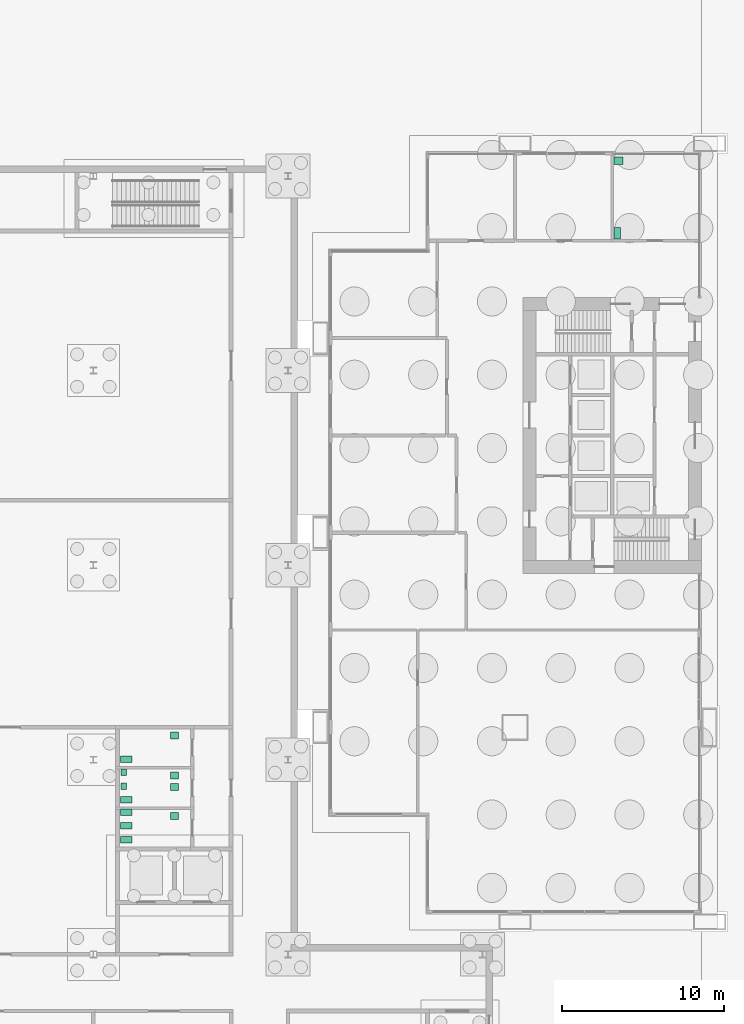
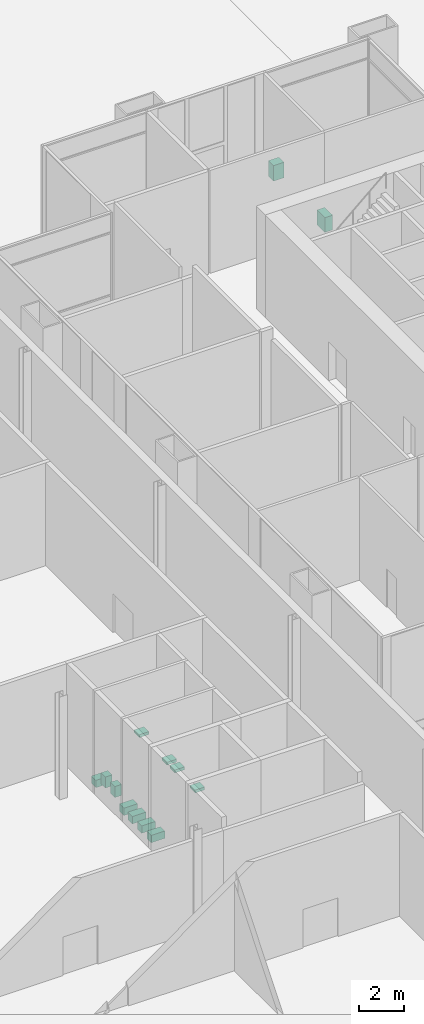
# One storey, part 28 of 29: 13 sanitary terminals.
"""IFC4 building model written with IfcOpenShell, lengths in metres."""

from ifc_helpers import new_model, si_unit, direction, frame, origin, origin_2d, place, context, subcontext, project, spatial, rectangle, extrude, material, type_object, element, save


model = new_model("IFC4")

# Units and contexts
model_context = context("Model", 3, precision=1e-05, world=origin(), true_north=direction((0.0, 1.0)))
body_context = subcontext(model_context, "Body", "Model", "MODEL_VIEW")
ifc_project = project(units=[si_unit("LENGTHUNIT", "METRE"), si_unit("AREAUNIT", "SQUARE_METRE"), si_unit("VOLUMEUNIT", "CUBIC_METRE"), si_unit("PLANEANGLEUNIT", "RADIAN"), si_unit("MASSUNIT", "GRAM", prefix="KILO")], contexts=[model_context])

# Site, building, storey
site_placement = place(None, origin())
site = spatial("IfcSite", under=ifc_project, at=site_placement, CompositionType="ELEMENT")
building_placement = place(site_placement, origin())
building = spatial("IfcBuilding", under=site, at=building_placement, Name="Kitamizu Gate Tower and Museum", CompositionType="ELEMENT")
storey_placement = place(building_placement, origin())
storey = spatial("IfcBuildingStorey", under=building, at=storey_placement, Name="L00", CompositionType="ELEMENT", Elevation=0.0)

# Sanitary terminals
ifc_material_1 = material(Name="Vitreous china")
sanitary_terminal_type_1 = type_object("IfcSanitaryTerminalType", Name="Wash hand basin", PredefinedType="WASHHANDBASIN", material=ifc_material_1)
sanitary_terminal_1_placement = place(storey_placement, frame((18.39501953125, 46.93505859375, 0.0009765625), z_axis=(0.0, 0.0, 1.0), x_axis=(1.0, 0.0, 0.0)))
element("IfcSanitaryTerminal", 1, at=sanitary_terminal_1_placement, inside=storey, type_object=sanitary_terminal_type_1, Name="Wash hand basin Public WC", PredefinedType="WASHHANDBASIN", context=body_context, shape_type="SweptSolid", body=[
    extrude(rectangle(XDim=0.550048828125, YDim=0.449951171875, at=origin_2d()), origin(), (0.0, 0.0, 1.0), 0.85009765625),
])
ifc_material_2 = material(Name="Vitreous china")
sanitary_terminal_type_2 = type_object("IfcSanitaryTerminalType", Name="Water closet", PredefinedType="TOILETPAN", material=ifc_material_2)
sanitary_terminal_2_placement = place(storey_placement, frame((18.320068359375, 42.469970703125, 0.0009765625), z_axis=(0.0, 0.0, 1.0), x_axis=(1.0, 0.0, 0.0)))
element("IfcSanitaryTerminal", 2, at=sanitary_terminal_2_placement, inside=storey, type_object=sanitary_terminal_type_2, Name="Water closet Public WC", PredefinedType="TOILETPAN", context=body_context, shape_type="SweptSolid", body=[
    extrude(rectangle(XDim=0.39990234375, YDim=0.699951171875, at=origin_2d()), origin(), (0.0, 0.0, 1.0), 0.800048828125),
])
for number, where, z_axis, x_axis, name in (
    (3, (-11.97509765625, 5.074951171875, 0.0), (0.0, 0.0, 1.0), (1.0, 0.0, 0.0), "WC pan Women WC 1"),
    (4, (-11.97509765625, 5.925048828125, 0.0), (0.0, 0.0, 1.0), (1.0, 0.0, 0.0), "WC pan Women WC 2"),
    (5, (-11.97509765625, 6.77490234375, 0.0), (0.0, 0.0, 1.0), (1.0, 0.0, 0.0), "WC pan Women WC 3"),
):
    element("IfcSanitaryTerminal", number, at=place(storey_placement, frame(where, z_axis=z_axis, x_axis=x_axis)), inside=storey, Name=name, PredefinedType="TOILETPAN", context=body_context, shape_type="SweptSolid", body=[
        extrude(rectangle(XDim=0.699951171875, YDim=0.39990234375, at=origin_2d()), origin(), (0.0, 0.0, 1.0), 0.39990234375),
    ])
sanitary_terminal_3_placement = place(storey_placement, frame((-9.0, 6.52490234375, 0.775146484375), z_axis=(0.0, 0.0, 1.0), x_axis=(1.0, 0.0, 0.0)))
element("IfcSanitaryTerminal", 6, at=sanitary_terminal_3_placement, inside=storey, Name="Basin Women WC 1", PredefinedType="WASHHANDBASIN", context=body_context, shape_type="SweptSolid", body=[
    extrude(rectangle(XDim=0.5, YDim=0.449951171875, at=origin_2d()), origin(), (0.0, 0.0, 1.0), 0.14990234375),
])
sanitary_terminal_4_placement = place(storey_placement, frame((-11.97509765625, 7.52490234375, 0.0), z_axis=(0.0, 0.0, 1.0), x_axis=(1.0, 0.0, 0.0)))
element("IfcSanitaryTerminal", 7, at=sanitary_terminal_4_placement, inside=storey, Name="WC pan Men WC 1", PredefinedType="TOILETPAN", context=body_context, shape_type="SweptSolid", body=[
    extrude(rectangle(XDim=0.699951171875, YDim=0.39990234375, at=origin_2d()), origin(), (0.0, 0.0, 1.0), 0.39990234375),
])
for number, where, z_axis, x_axis, name in (
    (8, (-12.125, 8.375, 0.449951171875), (0.0, 0.0, 1.0), (1.0, 0.0, 0.0), "Urinal Men WC 1"),
    (9, (-12.125, 9.22509765625, 0.449951171875), (0.0, 0.0, 1.0), (1.0, 0.0, 0.0), "Urinal Men WC 2"),
):
    element("IfcSanitaryTerminal", number, at=place(storey_placement, frame(where, z_axis=z_axis, x_axis=x_axis)), inside=storey, Name=name, PredefinedType="URINAL", context=body_context, shape_type="SweptSolid", body=[
        extrude(rectangle(XDim=0.35009765625, YDim=0.39990234375, at=origin_2d()), origin(), (0.0, 0.0, 1.0), 0.60009765625),
    ])
for number, where, z_axis, x_axis, name in (
    (10, (-9.0, 9.02490234375, 0.775146484375), (0.0, 0.0, 1.0), (1.0, 0.0, 0.0), "Basin Men WC 1"),
    (11, (-9.0, 8.324951171875, 0.775146484375), (0.0, 0.0, 1.0), (1.0, 0.0, 0.0), "Basin Men WC 2"),
):
    element("IfcSanitaryTerminal", number, at=place(storey_placement, frame(where, z_axis=z_axis, x_axis=x_axis)), inside=storey, Name=name, PredefinedType="WASHHANDBASIN", context=body_context, shape_type="SweptSolid", body=[
        extrude(rectangle(XDim=0.5, YDim=0.449951171875, at=origin_2d()), origin(), (0.0, 0.0, 1.0), 0.14990234375),
    ])
sanitary_terminal_5_placement = place(storey_placement, frame((-11.97509765625, 10.02490234375, 0.0), z_axis=(0.0, 0.0, 1.0), x_axis=(1.0, 0.0, 0.0)))
element("IfcSanitaryTerminal", 12, at=sanitary_terminal_5_placement, inside=storey, Name="WC pan Accessible WC 1", PredefinedType="TOILETPAN", context=body_context, shape_type="SweptSolid", body=[
    extrude(rectangle(XDim=0.699951171875, YDim=0.39990234375, at=origin_2d()), origin(), (0.0, 0.0, 1.0), 0.39990234375),
])
sanitary_terminal_6_placement = place(storey_placement, frame((-9.0, 11.5, 0.775146484375), z_axis=(0.0, 0.0, 1.0), x_axis=(1.0, 0.0, 0.0)))
element("IfcSanitaryTerminal", 13, at=sanitary_terminal_6_placement, inside=storey, Name="Basin Accessible WC 1", PredefinedType="WASHHANDBASIN", context=body_context, shape_type="SweptSolid", body=[
    extrude(rectangle(XDim=0.5, YDim=0.449951171875, at=origin_2d()), origin(), (0.0, 0.0, 1.0), 0.14990234375),
])

save(model, "model.ifc")
